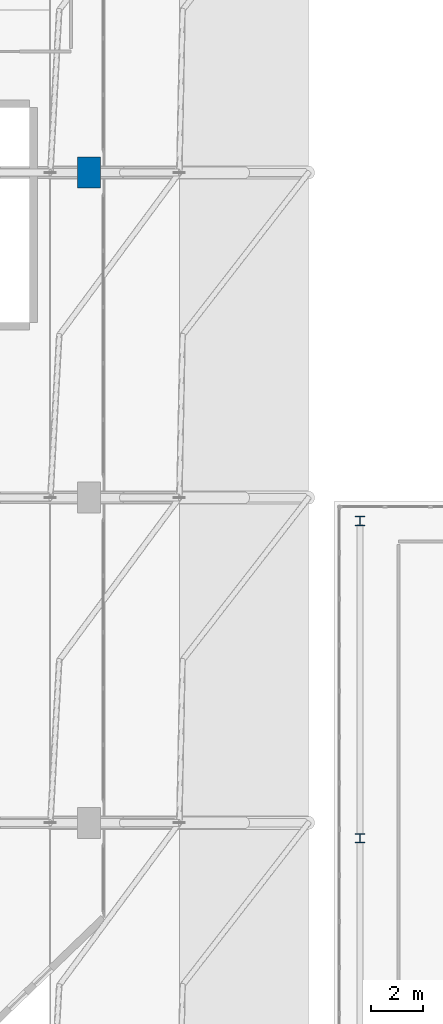
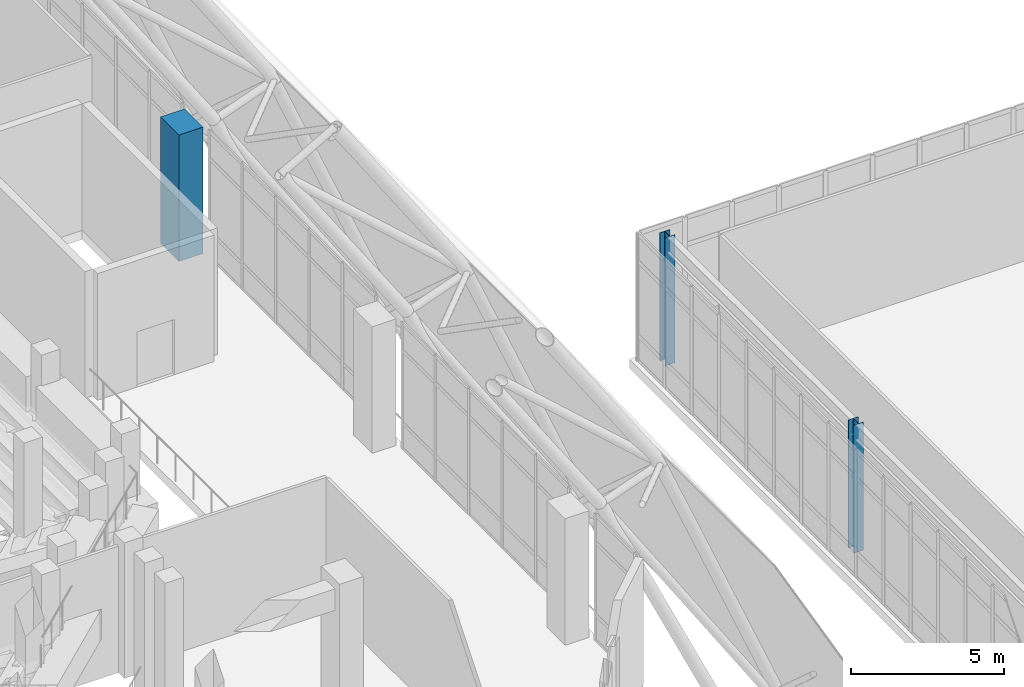
# One storey, part 4 of 159: 3 columns.
"""IFC4 building model written with IfcOpenShell, lengths in metres."""

from ifc_helpers import new_model, si_unit, derived_unit, direction, frame, origin, origin_2d, place, context, subcontext, project, spatial, rectangle, i_section, extrude, material, material_profile, profile_set, type_object, element, save


model = new_model("IFC4")

# Units and contexts
model_context = context("Model", 3, precision=1e-05, world=origin(), true_north=direction((0.0, 1.0)))
body_context = subcontext(model_context, "Body", "Model", "MODEL_VIEW")
ifc_project = project(units=[si_unit("LENGTHUNIT", "METRE"), si_unit("AREAUNIT", "SQUARE_METRE"), si_unit("VOLUMEUNIT", "CUBIC_METRE"), si_unit("PLANEANGLEUNIT", "RADIAN"), si_unit("MASSUNIT", "GRAM", prefix="KILO"), derived_unit("THERMALTRANSMITTANCEUNIT", [(si_unit("MASSUNIT", "GRAM", prefix="KILO"), 1), (si_unit("TIMEUNIT", "SECOND"), -3), (si_unit("THERMODYNAMICTEMPERATUREUNIT", "KELVIN"), -1)])], contexts=[model_context])

# Site, building, storey
site_placement = place(None, origin())
site = spatial("IfcSite", under=ifc_project, at=site_placement, CompositionType="ELEMENT")
building_placement = place(site_placement, origin())
building = spatial("IfcBuilding", under=site, at=building_placement, Name="Valcora Ridge Arena", CompositionType="ELEMENT")
storey_placement = place(building_placement, frame((0.0, 0.0, 6.0)))
storey = spatial("IfcBuildingStorey", under=building, at=storey_placement, Name="L01", CompositionType="ELEMENT", Elevation=6.0)

# Columns
ifc_material_1 = material(Name="Concrete C40/50", Category="concrete")
ifc_material_profile_1 = material_profile(ifc_material_1, rectangle(XDim=0.89990234375, YDim=1.199951171875, at=origin_2d()), Name="RC 900x1200")
ifc_profile_set_1 = profile_set([ifc_material_profile_1], Name="Concrete C40/50")
column_type_1 = type_object("IfcColumnType", Name="TY-COLUMN-C-RC900", PredefinedType="COLUMN", material=ifc_profile_set_1)
column_placement = place(storey_placement, frame((102.5, 57.800048828125, 0.0), z_axis=(0.0, 0.0, 1.0), x_axis=(1.0, 0.0, 0.0)))
element("IfcColumn", 1, at=column_placement, inside=storey, type_object=column_type_1, Name="C-RC900 COL-C-RC900-0043", PredefinedType="COLUMN", context=body_context, shape_type="SweptSolid", body=[
    extrude(rectangle(XDim=0.89990234375, YDim=1.199951171875, at=origin_2d()), origin(), (0.0, 0.0, 1.0), 5.0400390625),
])
ifc_material_2 = material(Name="Steel ASTM A572 Grade 50", Category="steel")
ifc_material_profile_2 = material_profile(ifc_material_2, i_section(OverallWidth=0.368896484375, OverallDepth=0.35595703125, WebThickness=0.01123046875, FlangeThickness=0.01806640625, FilletRadius=0.01806640625, at=origin_2d()), Name="W14X90")
ifc_profile_set_2 = profile_set([ifc_material_profile_2], Name="Steel ASTM A572 Grade 50")
column_type_2 = type_object("IfcColumnType", Name="TY-COLUMN-C-STL14D", PredefinedType="COLUMN", material=ifc_profile_set_2)
for number, where, z_axis, x_axis, name in (
    (2, (113.0, 32.0, 0.0), (0.0, 0.0, 1.0), (1.0, 0.0, 0.0), "C-STL14D COL-C-STL14D-0013"),
    (3, (113.0, 44.300048828125, 0.0), (0.0, 0.0, 1.0), (1.0, 0.0, 0.0), "C-STL14D COL-C-STL14D-0015"),
):
    element("IfcColumn", number, at=place(storey_placement, frame(where, z_axis=z_axis, x_axis=x_axis)), inside=storey, type_object=column_type_2, Name=name, PredefinedType="COLUMN", context=body_context, shape_type="SweptSolid", body=[
        extrude(i_section(OverallWidth=0.368896484375, OverallDepth=0.35595703125, WebThickness=0.01123046875, FlangeThickness=0.01806640625, FilletRadius=0.01806640625, at=origin_2d()), origin(), (0.0, 0.0, 1.0), 5.10009765625),
    ])

save(model, "model.ifc")
